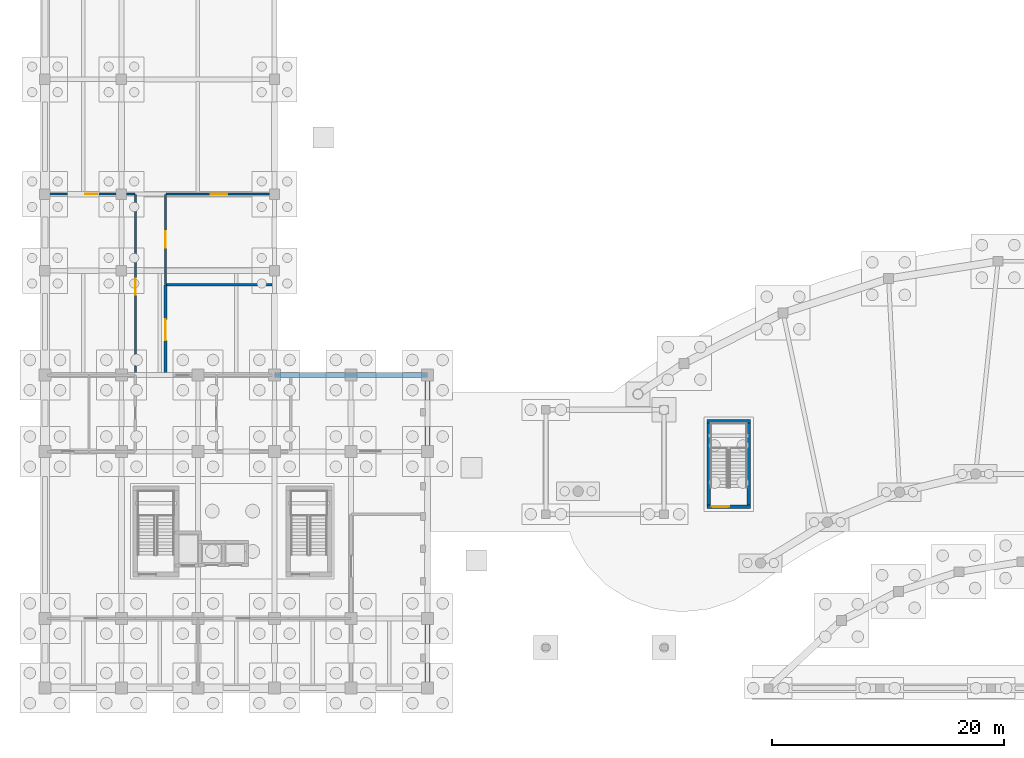
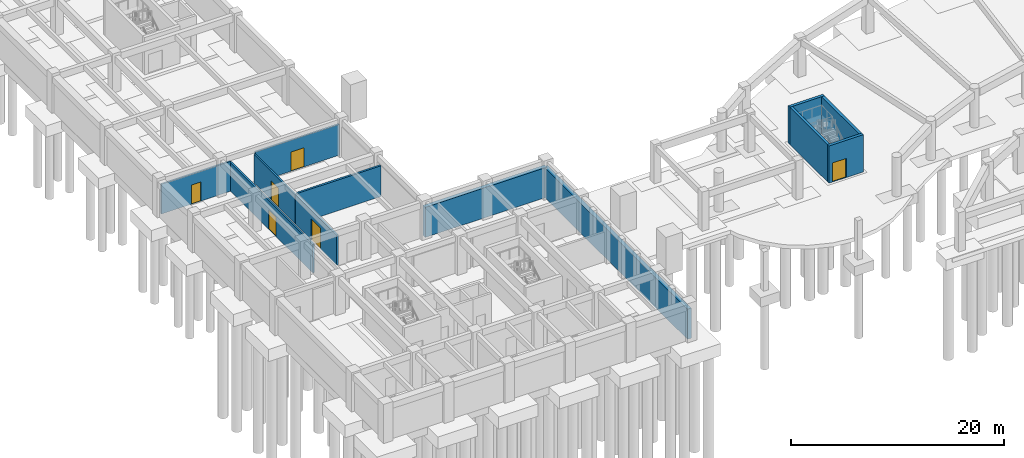
# One storey, part 16 of 28: 12 walls, 6 doors, 6 openings.
"""IFC4 building model written with IfcOpenShell, lengths in metres."""

from ifc_helpers import new_model, si_unit, direction, frame, frame_2d, origin, place, context, subcontext, project, spatial, rectangle, extrude, material, layer, layer_set, type_object, element, fill, save


model = new_model("IFC4")

# Units and contexts
model_context = context("Model", 3, precision=1e-05, world=origin(), true_north=direction((0.0, 1.0)))
body_context = subcontext(model_context, "Body", "Model", "MODEL_VIEW")
ifc_project = project(units=[si_unit("LENGTHUNIT", "METRE"), si_unit("AREAUNIT", "SQUARE_METRE"), si_unit("VOLUMEUNIT", "CUBIC_METRE"), si_unit("PLANEANGLEUNIT", "RADIAN"), si_unit("MASSUNIT", "GRAM", prefix="KILO")], contexts=[model_context])

# Site, building, storey
site_placement = place(None, origin())
site = spatial("IfcSite", under=ifc_project, at=site_placement, CompositionType="ELEMENT")
building_placement = place(site_placement, origin())
building = spatial("IfcBuilding", under=site, at=building_placement, Name="Miralva Faculty of Natural Sciences", CompositionType="ELEMENT")
storey_placement = place(building_placement, frame((0.0, 0.0, -4.5)))
storey = spatial("IfcBuildingStorey", under=building, at=storey_placement, Name="B1", CompositionType="ELEMENT", Elevation=-4.5)

# Wall, opening, door
ifc_material_1 = material(Name="Concrete C40/50", Category="concrete")
ifc_layer_1 = layer(ifc_material_1, 0.300048828125, Name="WL-CW03")
ifc_layer_set_1 = layer_set([ifc_layer_1], Name="Concrete C40/50")
wall_type_1 = type_object("IfcWallType", Name="WL-CW03", PredefinedType="SHEAR", material=ifc_layer_set_1)
wall_1_placement = place(storey_placement, frame((60.10009765625, 18.64990234375, 0.0), z_axis=(0.0, 0.0, 1.0), x_axis=(1.0, 0.0, 0.0)))
wall_1 = element("IfcWall", 1, at=wall_1_placement, inside=storey, type_object=wall_type_1, Name="Core C6 shear wall south B1", PredefinedType="SHEAR", context=body_context, shape_type="SweptSolid", body=[
    extrude(rectangle(XDim=3.75, YDim=0.300048828125, at=frame_2d((1.875, 0.0))), origin(), (0.0, 0.0, 1.0), 4.280029296875),
])
opening_1_placement = place(wall_1_placement, frame((0.39990234375, 0.0, 0.0)))
opening_1 = element("IfcOpeningElement", 2, at=opening_1_placement, cuts=wall_1, Name="Opening D-11", PredefinedType="OPENING", context=body_context, shape_type="SweptSolid", body=[
    extrude(rectangle(XDim=1.5, YDim=2.199951171875, at=frame_2d((0.75, 1.10009765625))), frame((0.0, 0.159912109375, 0.0), z_axis=(0.0, -1.0, 0.0), x_axis=(1.0, 0.0, 0.0)), (0.0, 0.0, 1.0), 0.320068359375),
])
ifc_material_2 = material(Name="Galvanised steel", Category="steel")
door_type_1 = type_object("IfcDoorType", Name="DR-DI11", OperationType="DOUBLE_DOOR_SINGLE_SWING", PredefinedType="DOOR", material=ifc_material_2)
door_1_placement = place(opening_1_placement, frame((1.5, 0.0, 0.0), z_axis=(0.0, 0.0, 1.0), x_axis=(-1.0, 0.0, 0.0)))
door_1 = element("IfcDoor", 3, at=door_1_placement, inside=storey, type_object=door_type_1, Name="Protected exit stair door Core C6 B1", OperationType="DOUBLE_DOOR_SINGLE_SWING", OverallHeight=2.199951171875, OverallWidth=1.5, PredefinedType="DOOR", context=body_context, shape_type="SweptSolid", body=[
    extrude(rectangle(XDim=1.5, YDim=2.199951171875, at=frame_2d((0.75, 1.10009765625))), frame((0.0, 0.02490234375, 0.0), z_axis=(0.0, -1.0, 0.0), x_axis=(1.0, 0.0, 0.0)), (0.0, 0.0, 1.0), 0.050048828125),
])
fill(opening_1, door_1)

# Walls
wall_2_placement = place(storey_placement, frame((60.10009765625, 26.0, 0.0), z_axis=(0.0, 0.0, 1.0), x_axis=(1.0, 0.0, 0.0)))
element("IfcWall", 4, at=wall_2_placement, inside=storey, type_object=wall_type_1, Name="Core C6 shear wall north B1", PredefinedType="SHEAR", context=body_context, shape_type="SweptSolid", body=[
    extrude(rectangle(XDim=3.75, YDim=0.300048828125, at=frame_2d((1.875, 0.0))), origin(), (0.0, 0.0, 1.0), 4.280029296875),
])
for number, where, z_axis, x_axis, name in (
    (5, (60.25, 18.800048828125, 0.0), (0.0, 0.0, 1.0), (0.0, 1.0, 0.0), "Core C6 shear wall west B1"),
    (6, (63.699951171875, 18.800048828125, 0.0), (0.0, 0.0, 1.0), (0.0, 1.0, 0.0), "Core C6 shear wall east B1"),
):
    element("IfcWall", number, at=place(storey_placement, frame(where, z_axis=z_axis, x_axis=x_axis)), inside=storey, type_object=wall_type_1, Name=name, PredefinedType="SHEAR", context=body_context, shape_type="SweptSolid", body=[
        extrude(rectangle(XDim=7.050048828125, YDim=0.300048828125, at=frame_2d((3.52490234375, 0.0))), origin(), (0.0, 0.0, 1.0), 4.280029296875),
    ])
ifc_material_3 = material(Name="Concrete C35/45", Category="concrete")
ifc_layer_2 = layer(ifc_material_3, 0.219970703125, Name="WL-PT01")
ifc_layer_set_2 = layer_set([ifc_layer_2], Name="Concrete C35/45")
wall_type_2 = type_object("IfcWallType", Name="WL-PT01", PredefinedType="PARTITIONING", material=ifc_layer_set_2)
wall_3_placement = place(storey_placement, frame((13.429931640625, 37.800048828125, 0.0), z_axis=(0.0, 0.0, 1.0), x_axis=(1.0, 0.0, 0.0)))
element("IfcWall", 7, at=wall_3_placement, inside=storey, type_object=wall_type_2, Name="Interior partition PT-01 B1-23", PredefinedType="PARTITIONING", context=body_context, shape_type="SweptSolid", body=[
    extrude(rectangle(XDim=9.14013671875, YDim=0.219970703125, at=frame_2d((4.570068359375, 0.0))), origin(), (0.0, 0.0, 1.0), 3.52490234375),
])

# Wall, opening, door
wall_4_placement = place(storey_placement, frame((13.39990234375, 30.030029296875, 0.0), z_axis=(0.0, 0.0, 1.0), x_axis=(0.0, 1.0, 0.0)))
wall_4 = element("IfcWall", 8, at=wall_4_placement, inside=storey, type_object=wall_type_2, Name="Interior partition PT-01 B1-24", PredefinedType="PARTITIONING", context=body_context, shape_type="SweptSolid", body=[
    extrude(rectangle(XDim=7.739990234375, YDim=0.219970703125, at=frame_2d((3.8701171875, 0.0))), origin(), (0.0, 0.0, 1.0), 3.43505859375),
])
opening_2_placement = place(wall_4_placement, frame((2.969970703125, 0.0, 0.0)))
opening_2 = element("IfcOpeningElement", 9, at=opening_2_placement, cuts=wall_4, Name="Opening D-16", PredefinedType="OPENING", context=body_context, shape_type="SweptSolid", body=[
    extrude(rectangle(XDim=1.800048828125, YDim=2.39990234375, at=frame_2d((0.89990234375, 1.199951171875))), frame((0.0, 0.119873046875, 0.0), z_axis=(0.0, -1.0, 0.0), x_axis=(1.0, 0.0, 0.0)), (0.0, 0.0, 1.0), 0.239990234375),
])
door_type_2 = type_object("IfcDoorType", Name="DR-DI16", OperationType="DOUBLE_DOOR_SINGLE_SWING", PredefinedType="DOOR", material=ifc_material_2)
door_2_placement = place(opening_2_placement, origin())
door_2 = element("IfcDoor", 10, at=door_2_placement, inside=storey, type_object=door_type_2, Name="Interior door D-16 B1-11", OperationType="DOUBLE_DOOR_SINGLE_SWING", OverallHeight=2.39990234375, OverallWidth=1.800048828125, PredefinedType="DOOR", context=body_context, shape_type="SweptSolid", body=[
    extrude(rectangle(XDim=1.800048828125, YDim=2.39990234375, at=frame_2d((0.89990234375, 1.199951171875))), frame((0.0, 0.02490234375, 0.0), z_axis=(0.0, -1.0, 0.0), x_axis=(1.0, 0.0, 0.0)), (0.0, 0.0, 1.0), 0.050048828125),
])
fill(opening_2, door_2)

ifc_material_4 = material(Name="Gypsum plasterboard")
ifc_layer_3 = layer(ifc_material_4, 0.179931640625, Name="WL-PT02")
ifc_layer_set_3 = layer_set([ifc_layer_3], Name="Gypsum plasterboard")
wall_type_3 = type_object("IfcWallType", Name="WL-PT02", PredefinedType="PARTITIONING", material=ifc_layer_set_3)
wall_5_placement = place(storey_placement, frame((10.800048828125, 30.030029296875, 0.0), z_axis=(0.0, 0.0, 1.0), x_axis=(0.0, 1.0, 0.0)))
wall_5 = element("IfcWall", 11, at=wall_5_placement, inside=storey, type_object=wall_type_3, Name="Interior partition PT-02 B1-21", PredefinedType="PARTITIONING", context=body_context, shape_type="SweptSolid", body=[
    extrude(rectangle(XDim=15.5400390625, YDim=0.179931640625, at=frame_2d((7.77001953125, 0.0))), origin(), (0.0, 0.0, 1.0), 3.294921875),
])
opening_3_placement = place(wall_5_placement, frame((6.889892578125, 0.0, 0.0)))
opening_3 = element("IfcOpeningElement", 12, at=opening_3_placement, cuts=wall_5, Name="Opening D-14", PredefinedType="OPENING", context=body_context, shape_type="SweptSolid", body=[
    extrude(rectangle(XDim=1.39990234375, YDim=2.199951171875, at=frame_2d((0.699951171875, 1.10009765625))), frame((0.0, 0.099853515625, 0.0), z_axis=(0.0, -1.0, 0.0), x_axis=(1.0, 0.0, 0.0)), (0.0, 0.0, 1.0), 0.199951171875),
])
door_type_3 = type_object("IfcDoorType", Name="DR-DI14", OperationType="DOUBLE_DOOR_SINGLE_SWING", PredefinedType="DOOR", material=ifc_material_2)
door_3_placement = place(opening_3_placement, origin())
door_3 = element("IfcDoor", 13, at=door_3_placement, inside=storey, type_object=door_type_3, Name="Interior door D-14 B1-10", OperationType="DOUBLE_DOOR_SINGLE_SWING", OverallHeight=2.199951171875, OverallWidth=1.39990234375, PredefinedType="DOOR", context=body_context, shape_type="SweptSolid", body=[
    extrude(rectangle(XDim=1.39990234375, YDim=2.199951171875, at=frame_2d((0.699951171875, 1.10009765625))), frame((0.0, 0.02490234375, 0.0), z_axis=(0.0, -1.0, 0.0), x_axis=(1.0, 0.0, 0.0)), (0.0, 0.0, 1.0), 0.050048828125),
])
fill(opening_3, door_3)

wall_6_placement = place(storey_placement, frame((3.22998046875, 45.60009765625, 0.0), z_axis=(0.0, 0.0, 1.0), x_axis=(1.0, 0.0, 0.0)))
wall_6 = element("IfcWall", 14, at=wall_6_placement, inside=storey, type_object=wall_type_3, Name="Interior partition PT-02 B1-22", PredefinedType="PARTITIONING", context=body_context, shape_type="SweptSolid", body=[
    extrude(rectangle(XDim=7.5400390625, YDim=0.179931640625, at=frame_2d((3.77001953125, 0.0))), origin(), (0.0, 0.0, 1.0), 3.425048828125),
])
opening_4_placement = place(wall_6_placement, frame((3.2451171875, 0.0, 0.0)))
opening_4 = element("IfcOpeningElement", 15, at=opening_4_placement, cuts=wall_6, Name="Opening D-15", PredefinedType="OPENING", context=body_context, shape_type="SweptSolid", body=[
    extrude(rectangle(XDim=1.050048828125, YDim=2.199951171875, at=frame_2d((0.52490234375, 1.10009765625))), frame((0.0, 0.099853515625, 0.0), z_axis=(0.0, -1.0, 0.0), x_axis=(1.0, 0.0, 0.0)), (0.0, 0.0, 1.0), 0.199951171875),
])
door_type_4 = type_object("IfcDoorType", Name="DR-DI15", OperationType="NOTDEFINED", PredefinedType="DOOR", material=ifc_material_2)
door_4_placement = place(opening_4_placement, origin())
door_4 = element("IfcDoor", 16, at=door_4_placement, inside=storey, type_object=door_type_4, Name="Interior door D-15 B1-9", OperationType="SINGLE_SWING_RIGHT", OverallHeight=2.199951171875, OverallWidth=1.050048828125, PredefinedType="DOOR", context=body_context, shape_type="SweptSolid", body=[
    extrude(rectangle(XDim=1.050048828125, YDim=2.199951171875, at=frame_2d((0.52490234375, 1.10009765625))), frame((0.0, 0.02490234375, 0.0), z_axis=(0.0, -1.0, 0.0), x_axis=(1.0, 0.0, 0.0)), (0.0, 0.0, 1.0), 0.050048828125),
])
fill(opening_4, door_4)

wall_7_placement = place(storey_placement, frame((13.39990234375, 37.830078125, 0.0), z_axis=(0.0, 0.0, 1.0), x_axis=(0.0, 1.0, 0.0)))
wall_7 = element("IfcWall", 17, at=wall_7_placement, inside=storey, type_object=wall_type_3, Name="Interior partition PT-02 B1-25", PredefinedType="PARTITIONING", context=body_context, shape_type="SweptSolid", body=[
    extrude(rectangle(XDim=7.739990234375, YDim=0.179931640625, at=frame_2d((3.8701171875, 0.0))), origin(), (0.0, 0.0, 1.0), 3.294921875),
])
opening_5_placement = place(wall_7_placement, frame((3.169921875, 0.0, 0.0)))
opening_5 = element("IfcOpeningElement", 18, at=opening_5_placement, cuts=wall_7, Name="Opening D-14", PredefinedType="OPENING", context=body_context, shape_type="SweptSolid", body=[
    extrude(rectangle(XDim=1.39990234375, YDim=2.199951171875, at=frame_2d((0.699951171875, 1.10009765625))), frame((0.0, 0.099853515625, 0.0), z_axis=(0.0, -1.0, 0.0), x_axis=(1.0, 0.0, 0.0)), (0.0, 0.0, 1.0), 0.199951171875),
])
door_5_placement = place(opening_5_placement, origin())
door_5 = element("IfcDoor", 19, at=door_5_placement, inside=storey, type_object=door_type_3, Name="Interior door D-14 B1-13", OperationType="DOUBLE_DOOR_SINGLE_SWING", OverallHeight=2.199951171875, OverallWidth=1.39990234375, PredefinedType="DOOR", context=body_context, shape_type="SweptSolid", body=[
    extrude(rectangle(XDim=1.39990234375, YDim=2.199951171875, at=frame_2d((0.699951171875, 1.10009765625))), frame((0.0, 0.02490234375, 0.0), z_axis=(0.0, -1.0, 0.0), x_axis=(1.0, 0.0, 0.0)), (0.0, 0.0, 1.0), 0.050048828125),
])
fill(opening_5, door_5)

wall_8_placement = place(storey_placement, frame((13.455078125, 45.60009765625, 0.0), z_axis=(0.0, 0.0, 1.0), x_axis=(1.0, 0.0, 0.0)))
wall_8 = element("IfcWall", 20, at=wall_8_placement, inside=storey, type_object=wall_type_3, Name="Interior partition PT-02 B1-26", PredefinedType="PARTITIONING", context=body_context, shape_type="SweptSolid", body=[
    extrude(rectangle(XDim=9.114990234375, YDim=0.179931640625, at=frame_2d((4.5576171875, 0.0))), origin(), (0.0, 0.0, 1.0), 3.554931640625),
])
opening_6_placement = place(wall_8_placement, frame((3.857421875, 0.0, 0.0)))
opening_6 = element("IfcOpeningElement", 21, at=opening_6_placement, cuts=wall_8, Name="Opening D-14", PredefinedType="OPENING", context=body_context, shape_type="SweptSolid", body=[
    extrude(rectangle(XDim=1.39990234375, YDim=2.199951171875, at=frame_2d((0.699951171875, 1.10009765625))), frame((0.0, 0.099853515625, 0.0), z_axis=(0.0, -1.0, 0.0), x_axis=(1.0, 0.0, 0.0)), (0.0, 0.0, 1.0), 0.199951171875),
])
door_6_placement = place(opening_6_placement, origin())
door_6 = element("IfcDoor", 22, at=door_6_placement, inside=storey, type_object=door_type_3, Name="Interior door D-14 B1-12", OperationType="DOUBLE_DOOR_SINGLE_SWING", OverallHeight=2.199951171875, OverallWidth=1.39990234375, PredefinedType="DOOR", context=body_context, shape_type="SweptSolid", body=[
    extrude(rectangle(XDim=1.39990234375, YDim=2.199951171875, at=frame_2d((0.699951171875, 1.10009765625))), frame((0.0, 0.02490234375, 0.0), z_axis=(0.0, -1.0, 0.0), x_axis=(1.0, 0.0, 0.0)), (0.0, 0.0, 1.0), 0.050048828125),
])
fill(opening_6, door_6)

# Walls
ifc_layer_4 = layer(ifc_material_1, 0.419921875, Name="WL-RW01")
ifc_layer_set_4 = layer_set([ifc_layer_4], Name="Concrete C40/50")
wall_type_4 = type_object("IfcWallType", Name="WL-RW01", PredefinedType="STANDARD", material=ifc_layer_set_4)
wall_9_placement = place(storey_placement, frame((36.0, 2.9951171875, 0.0), z_axis=(0.0, 0.0, 1.0), x_axis=(0.0, 1.0, 0.0)))
element("IfcWall", 23, at=wall_9_placement, inside=storey, type_object=wall_type_4, Name="Exterior wall B1-2", PredefinedType="STANDARD", context=body_context, shape_type="SweptSolid", body=[
    extrude(rectangle(XDim=27.009765625, YDim=0.419921875, at=frame_2d((13.5048828125, 0.0))), origin(), (0.0, 0.0, 1.0), 3.449951171875),
])
wall_10_placement = place(storey_placement, frame((22.794921875, 30.0, 0.0), z_axis=(0.0, 0.0, 1.0), x_axis=(1.0, 0.0, 0.0)))
element("IfcWall", 24, at=wall_10_placement, inside=storey, type_object=wall_type_4, Name="Exterior wall B1-3", PredefinedType="STANDARD", context=body_context, shape_type="SweptSolid", body=[
    extrude(rectangle(XDim=13.2099609375, YDim=0.419921875, at=frame_2d((6.60498046875, 0.0))), origin(), (0.0, 0.0, 1.0), 3.449951171875),
])

save(model, "model.ifc")
